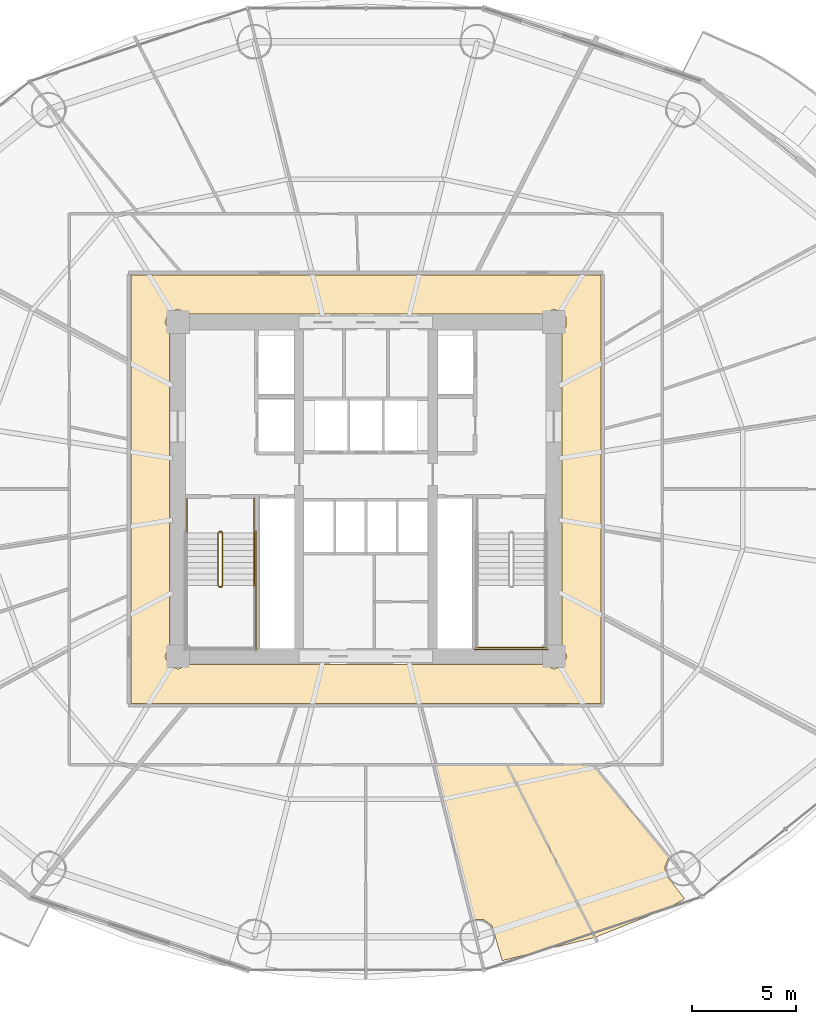
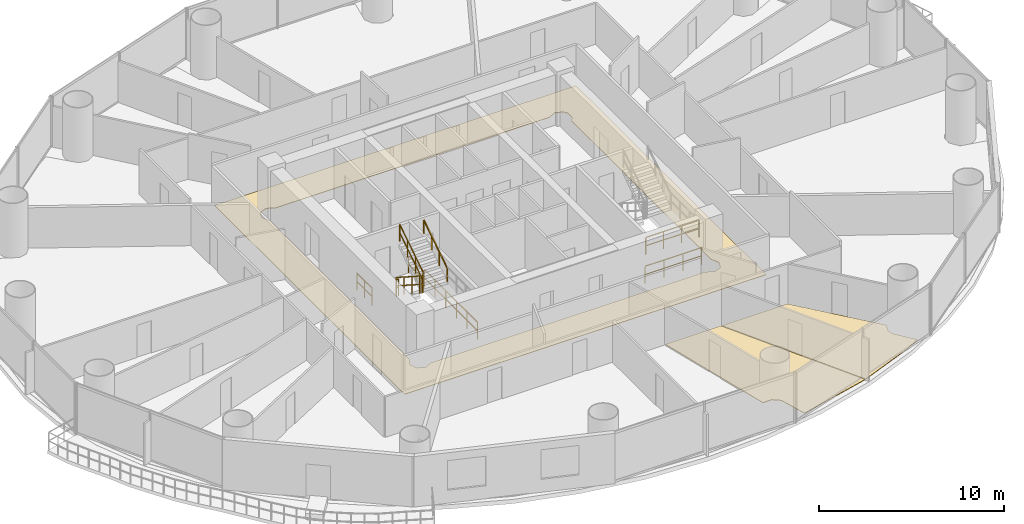
# One storey, part 27 of 29: 10 railings, 3 coverings.
"""IFC4 building model written with IfcOpenShell, lengths in metres."""

import ifcopenshell
import ifcopenshell.guid

model = None  # the IFC model being written
_history = None  # IfcOwnerHistory: only IFC2X3 demands one
_inside = {}  # id of a spatial element -> (the spatial element, [elements in it])
_under = {}  # id of a project, library or spatial element -> (it, [spatial elements below it])
_declared = {}  # id of a project -> (the project, [libraries it declares])
_typed = {}  # id of a type object -> (the type object, [elements of that type])
_made_of = {}  # id of a material, layer set ... -> (it, [elements and type objects made of it])


def new_model(schema):
    """Start an empty IFC model of exactly this schema.

    Asked for "IFC4X3", IfcOpenShell would pick the latest addendum, in which some entities
    have other attributes; the version numbers below select the first issue.
    IFC2X3 requires an IfcOwnerHistory on every rooted entity: one is made here for all.
    """
    global model, _history
    if schema == "IFC4X3":
        model = ifcopenshell.file(schema_version=(4, 3, 0, 0))
    else:
        model = ifcopenshell.file(schema=schema)
    _inside.clear()
    _under.clear()
    _declared.clear()
    _typed.clear()
    _made_of.clear()
    _history = None
    if model.schema == "IFC2X3":
        org = make("IfcOrganization", Name="unknown")
        user = make(
            "IfcPersonAndOrganization",
            ThePerson=make("IfcPerson", FamilyName="unknown"),
            TheOrganization=org,
        )
        app = make(
            "IfcApplication",
            ApplicationDeveloper=org,
            Version="unknown",
            ApplicationFullName="unknown",
            ApplicationIdentifier="unknown",
        )
        _history = make(
            "IfcOwnerHistory",
            OwningUser=user,
            OwningApplication=app,
            ChangeAction="ADDED",
            CreationDate=0,
        )
    return model


def make(cls, **values):
    """One entity of the class cls with the attributes given. An attribute that is None is left unset."""
    return model.create_entity(
        cls, **{name: value for name, value in values.items() if value is not None}
    )


def rooted(cls, **values):
    """An entity with a GlobalId (a new one), such as an element, a storey or a relation."""
    return make(cls, GlobalId=ifcopenshell.guid.new(), OwnerHistory=_history, **values)


def si_unit(unit_type, name, prefix=None):
    """IfcSIUnit, for example si_unit("LENGTHUNIT", "METRE", prefix="MILLI")."""
    return make("IfcSIUnit", UnitType=unit_type, Prefix=prefix, Name=name)


def assignment(units):
    """IfcUnitAssignment: the units of a project."""
    return None if units is None else make("IfcUnitAssignment", Units=units)


def point(xyz):
    """IfcCartesianPoint."""
    return None if xyz is None else make("IfcCartesianPoint", Coordinates=xyz)


def direction(xyz):
    """IfcDirection."""
    return None if xyz is None else make("IfcDirection", DirectionRatios=xyz)


def frame(location, z_axis=None, x_axis=None):
    """IfcAxis2Placement3D, a coordinate frame: its origin and axes. An axis left out is left unset."""
    return make(
        "IfcAxis2Placement3D",
        Location=point(location),
        Axis=direction(z_axis),
        RefDirection=direction(x_axis),
    )


def frame_2d(location, x_axis=None):
    """IfcAxis2Placement2D, a coordinate frame in the plane: its origin and x axis."""
    return make(
        "IfcAxis2Placement2D", Location=point(location), RefDirection=direction(x_axis)
    )


def origin():
    """The frame at (0, 0, 0) with its axes left unset."""
    return frame((0.0, 0.0, 0.0))


def origin_2d():
    """The frame at (0, 0) in the plane with its x axis left unset."""
    return frame_2d((0.0, 0.0))


def place(relative_to, where):
    """IfcLocalPlacement: puts the frame where relative to a parent placement (None: the world)."""
    return make(
        "IfcLocalPlacement", PlacementRelTo=relative_to, RelativePlacement=where
    )


def context(
    kind, dimensions, precision=None, world=None, true_north=None, identifier=None
):
    """IfcGeometricRepresentationContext, for example the 3D "Model" context."""
    return make(
        "IfcGeometricRepresentationContext",
        ContextIdentifier=identifier,
        ContextType=kind,
        CoordinateSpaceDimension=dimensions,
        Precision=precision,
        WorldCoordinateSystem=world,
        TrueNorth=true_north,
    )


def subcontext(parent, identifier, kind, view, scale=None):
    """IfcGeometricRepresentationSubContext, for example "Body" below "Model"."""
    return make(
        "IfcGeometricRepresentationSubContext",
        ContextIdentifier=identifier,
        ContextType=kind,
        ParentContext=parent,
        TargetScale=scale,
        TargetView=view,
    )


def project(units=None, contexts=None):
    """IfcProject with its units and contexts."""
    return rooted(
        "IfcProject",
        Name="project",
        RepresentationContexts=contexts,
        UnitsInContext=assignment(units),
    )


def spatial(cls, under=None, at=None, **own):
    """A site, building, storey or space (cls), placed at a placement, below another one or the project."""
    s = rooted(cls, ObjectPlacement=at, **own)
    if under is not None:
        _under.setdefault(under.id(), (under, []))[1].append(s)
    return s


def polyline(points):
    """IfcPolyline through the points."""
    return make("IfcPolyline", Points=[point(p) for p in points])


def profile(cls, at=None, kind="AREA", **sizes):
    """A parametric profile (cls). Its sizes go by their IFC names, for example OverallWidth=200.0."""
    return make(cls, ProfileType=kind, Position=at, **sizes)


def rectangle(**sizes):
    """IfcRectangleProfileDef."""
    return profile("IfcRectangleProfileDef", **sizes)


def outline(outer, holes=None, kind="AREA"):
    """IfcArbitraryClosedProfileDef: a profile drawn as a closed curve; with holes, ...WithVoids."""
    if holes is None:
        return make("IfcArbitraryClosedProfileDef", ProfileType=kind, OuterCurve=outer)
    return make(
        "IfcArbitraryProfileDefWithVoids",
        ProfileType=kind,
        OuterCurve=outer,
        InnerCurves=holes,
    )


def extrude(swept, where, along, depth):
    """IfcExtrudedAreaSolid: the profile swept, set in the frame where, extruded along a direction by depth."""
    return make(
        "IfcExtrudedAreaSolid",
        SweptArea=swept,
        Position=where,
        ExtrudedDirection=direction(along),
        Depth=depth,
    )


def shape(context_of_items, identifier, shape_type, items):
    """IfcShapeRepresentation: the items that make up one representation, for example the "Body"."""
    return make(
        "IfcShapeRepresentation",
        ContextOfItems=context_of_items,
        RepresentationIdentifier=identifier,
        RepresentationType=shape_type,
        Items=items,
    )


def material(Name=None, Category=None):
    """IfcMaterial."""
    return make("IfcMaterial", Name=Name, Category=Category)


def layer(
    of_material, thickness, ventilated=None, Name=None, Category=None, Priority=None
):
    """IfcMaterialLayer: one layer of a wall or slab, of a material (None: an air gap)."""
    return make(
        "IfcMaterialLayer",
        Material=of_material,
        LayerThickness=thickness,
        IsVentilated=ventilated,
        Name=Name,
        Category=Category,
        Priority=Priority,
    )


def layer_set(layers, Name=None):
    """IfcMaterialLayerSet."""
    return make("IfcMaterialLayerSet", MaterialLayers=layers, LayerSetName=Name)


def made_of(thing, what):
    """Note that an element or type object is made of a material, layer set ...; save() writes the relation."""
    if what is not None:
        _made_of.setdefault(what.id(), (what, []))[1].append(thing)
    return thing


def type_object(cls, material=None, **own):
    """A type object (cls), such as IfcWallType, which elements share."""
    return made_of(rooted(cls, **own), material)


def element(
    cls,
    number,
    at=None,
    inside=None,
    cuts=None,
    type_object=None,
    material=None,
    context=None,
    identifier="Body",
    shape_type=None,
    held_by="IfcProductDefinitionShape",
    body=None,
    shapes=None,
    **own,
):
    """One element of the class cls, such as IfcWall. Its Tag is "e" and its number.

    at: its placement. inside: the storey or other place that contains it. cuts: it is an
    opening in that element (IfcRelVoidsElement). A single representation is given by context,
    identifier, shape_type and body (its items); several are given by shapes. held_by: the class
    of the entity that holds the representations. save() writes the other relations.
    """
    e = rooted(cls, Tag="e%d" % number, ObjectPlacement=at, **own)
    if body is not None:
        shapes = [shape(context, identifier, shape_type, body)]
    if shapes is not None:
        e.Representation = make(held_by, Representations=shapes)
    if inside is not None:
        _inside.setdefault(inside.id(), (inside, []))[1].append(e)
    if cuts is not None:
        rooted(
            "IfcRelVoidsElement", RelatingBuildingElement=cuts, RelatedOpeningElement=e
        )
    if type_object is not None:
        _typed.setdefault(type_object.id(), (type_object, []))[1].append(e)
    return made_of(e, material)


def aggregate(whole, parts):
    """IfcRelAggregates: a whole, such as a stair, and the parts it consists of."""
    return rooted("IfcRelAggregates", RelatingObject=whole, RelatedObjects=parts)


def save(model, path):
    """Write the relations noted so far, then the file.

    IfcRelAggregates (storeys below a building ...), IfcRelContainedInSpatialStructure (elements
    in a storey), IfcRelDefinesByType, IfcRelAssociatesMaterial and IfcRelDeclares: one each for
    every whole, place, type object, material and project.
    """
    for whole, parts in _under.values():
        aggregate(whole, parts)
    for where, things in _inside.values():
        rooted(
            "IfcRelContainedInSpatialStructure",
            RelatedElements=things,
            RelatingStructure=where,
        )
    for kind, things in _typed.values():
        rooted("IfcRelDefinesByType", RelatedObjects=things, RelatingType=kind)
    for what, things in _made_of.values():
        rooted("IfcRelAssociatesMaterial", RelatedObjects=things, RelatingMaterial=what)
    for by, libraries in _declared.values():
        rooted("IfcRelDeclares", RelatingContext=by, RelatedDefinitions=libraries)
    model.write(path)


model = new_model("IFC4")

# Units and contexts
model_context = context("Model", 3, precision=1e-05, world=origin(), true_north=direction((-0.2419218956, 0.970295726276)))
body_context = subcontext(model_context, "Body", "Model", "MODEL_VIEW")
ifc_project = project(units=[si_unit("LENGTHUNIT", "METRE"), si_unit("AREAUNIT", "SQUARE_METRE"), si_unit("VOLUMEUNIT", "CUBIC_METRE"), si_unit("PLANEANGLEUNIT", "RADIAN"), si_unit("MASSUNIT", "GRAM", prefix="KILO")], contexts=[model_context])

# Site, building, storey
site_placement = place(None, origin())
site = spatial("IfcSite", under=ifc_project, at=site_placement, CompositionType="ELEMENT")
building_placement = place(site_placement, origin())
building = spatial("IfcBuilding", under=site, at=building_placement, Name="Cobrevalo Terracotta Tower", CompositionType="ELEMENT")
storey_placement = place(building_placement, frame((0.0, 0.0, 49.199951171875)))
storey = spatial("IfcBuildingStorey", under=building, at=storey_placement, Name="L12", CompositionType="ELEMENT", Elevation=49.199951171875)

# Coverings
ifc_material_1 = material(Name="Engineered Brazilian hardwood flooring", Category="wood")
ifc_layer_1 = layer(ifc_material_1, 0.028076171875)
ifc_layer_set_1 = layer_set([ifc_layer_1], Name="Engineered Brazilian hardwood flooring")
covering_type_1 = type_object("IfcCoveringType", Name="Engineered Hardwood Suite Flooring 28", PredefinedType="FLOORING", material=ifc_layer_set_1)
covering_1_placement = place(storey_placement, origin())
element("IfcCovering", 1, at=covering_1_placement, inside=storey, type_object=covering_type_1, Name="Flat L12D Principal Guest Bedroom floor finish", PredefinedType="FLOORING", context=body_context, shape_type="SweptSolid", body=[
    extrude(outline(polyline([(44.527587890625, 4.2255859375), (44.04345703125, 5.89306640625), (43.63330078125, 6.197998046875), (43.075439453125, 6.20703125), (41.264404296875, 13.5849609375), (44.732421875, 13.5849609375), (48.948974609375, 5.336181640625), (44.527587890625, 4.2255859375)])), origin(), (0.0, 0.0, 1.0), 0.030029296875),
])
covering_2_placement = place(storey_placement, origin())
element("IfcCovering", 2, at=covering_2_placement, inside=storey, type_object=covering_type_1, Name="Flat L12D Penthouse Family Lounge floor finish", PredefinedType="FLOORING", context=body_context, shape_type="SweptSolid", body=[
    extrude(outline(polyline([(48.9873046875, 5.3486328125), (44.77734375, 13.5849609375), (48.87060546875, 13.5849609375), (52.5048828125, 9.177490234375), (52.318115234375, 8.71044921875), (52.35498046875, 8.369140625), (53.26318359375, 7.178955078125), (52.361572265625, 6.691650390625), (48.9873046875, 5.3486328125)])), origin(), (0.0, 0.0, 1.0), 0.030029296875),
])
ifc_material_2 = material(Name="Honed terracotta and granite tile", Category="masonry")
ifc_layer_2 = layer(ifc_material_2, 0.034912109375)
ifc_layer_set_2 = layer_set([ifc_layer_2], Name="Honed terracotta and granite tile")
covering_type_2 = type_object("IfcCoveringType", Name="Honed Terracotta & Granite Interior Flooring 35", PredefinedType="FLOORING", material=ifc_layer_set_2)
covering_3_placement = place(storey_placement, origin())
element("IfcCovering", 3, at=covering_3_placement, inside=storey, type_object=covering_type_2, Name="L12 Residential Floor Corridor floor finish", PredefinedType="FLOORING", context=body_context, shape_type="SweptSolid", body=[
    extrude(outline(polyline([(49.2548828125, 37.054931640625), (49.2548828125, 16.544921875), (26.7451171875, 16.544921875), (26.7451171875, 37.054931640625), (49.2548828125, 37.054931640625)]), holes=[polyline([(47.39501953125, 34.33203125), (47.5732421875, 34.5625), (47.5732421875, 35.037353515625), (47.438720703125, 35.23876953125), (47.0, 35.42041015625), (46.5322265625, 35.195068359375), (29.4677734375, 35.195068359375), (29.0, 35.42041015625), (28.561279296875, 35.23876953125), (28.379638671875, 34.800048828125), (28.60498046875, 34.33203125), (28.60498046875, 19.267822265625), (28.379638671875, 18.800048828125), (28.561279296875, 18.361328125), (29.0, 18.1796875), (29.4677734375, 18.405029296875), (46.5322265625, 18.405029296875), (47.0, 18.1796875), (47.438720703125, 18.361328125), (47.620361328125, 18.800048828125), (47.39501953125, 19.267822265625), (47.39501953125, 34.33203125)])]), origin(), (0.0, 0.0, 1.0), 0.030029296875),
])

# Railings
ifc_material_3 = material(Name="Brushed stainless steel", Category="steel")
railing_type_1 = type_object("IfcRailingType", Name="Stainless Steel Stair Handrail 900", PredefinedType="HANDRAIL", material=ifc_material_3)
railing_1_placement = place(storey_placement, frame((32.64501953125, 22.179931640625, 1.97998046875)))
element("IfcRailing", 4, at=railing_1_placement, inside=storey, type_object=railing_type_1, Name="L12 ST-1 stair handrail 2", PredefinedType="HANDRAIL", context=body_context, shape_type="SweptSolid", body=[
    extrude(rectangle(XDim=0.048095703125, YDim=0.048095703125, at=origin_2d()), frame((0.0, 0.0, 0.8759765625), z_axis=(0.0, 0.841162588446, 0.540782303519), x_axis=(-1.0, 0.0, 0.0)), (0.0, 0.0, 1.0), 2.995849609375),
    extrude(rectangle(XDim=0.0419921875, YDim=0.0419921875, at=origin_2d()), origin(), (0.0, 0.0, 1.0), 0.851806640625),
    extrude(rectangle(XDim=0.0419921875, YDim=0.0419921875, at=origin_2d()), frame((0.0, 0.840087890625, 0.5400390625)), (0.0, 0.0, 1.0), 0.851806640625),
    extrude(rectangle(XDim=0.0419921875, YDim=0.0419921875, at=origin_2d()), frame((0.0, 1.679931640625, 1.080078125)), (0.0, 0.0, 1.0), 0.851806640625),
    extrude(rectangle(XDim=0.0419921875, YDim=0.0419921875, at=origin_2d()), frame((0.0, 2.52001953125, 1.6201171875)), (0.0, 0.0, 1.0), 0.851806640625),
])
ifc_material_4 = material(Name="Painted galvanized steel", Category="steel")
railing_type_2 = type_object("IfcRailingType", Name="Stair Well Guard Balustrade 1150", PredefinedType="GUARDRAIL", material=ifc_material_4)
railing_2_placement = place(storey_placement, frame((30.925048828125, 24.699951171875, 0.179931640625)))
element("IfcRailing", 5, at=railing_2_placement, inside=storey, type_object=railing_type_2, Name="L12 ST-1 stair guard 1", PredefinedType="GUARDRAIL", context=body_context, shape_type="SweptSolid", body=[
    extrude(rectangle(XDim=0.048095703125, YDim=0.048095703125, at=origin_2d()), frame((0.0, 0.0, 1.1259765625), z_axis=(0.0, -0.841162588446, 0.540782303519), x_axis=(1.0, 0.0, 0.0)), (0.0, 0.0, 1.0), 2.995849609375),
    extrude(rectangle(XDim=0.048095703125, YDim=0.048095703125, at=origin_2d()), frame((0.0, 0.0, 0.574951171875), z_axis=(0.0, -0.841162588446, 0.540782303519), x_axis=(1.0, 0.0, 0.0)), (0.0, 0.0, 1.0), 2.995849609375),
    extrude(rectangle(XDim=0.0419921875, YDim=0.0419921875, at=origin_2d()), origin(), (0.0, 0.0, 1.0), 1.101806640625),
    extrude(rectangle(XDim=0.0419921875, YDim=0.0419921875, at=origin_2d()), frame((0.0, -0.840087890625, 0.5400390625)), (0.0, 0.0, 1.0), 1.101806640625),
    extrude(rectangle(XDim=0.0419921875, YDim=0.0419921875, at=origin_2d()), frame((0.0, -1.679931640625, 1.080078125)), (0.0, 0.0, 1.0), 1.101806640625),
    extrude(rectangle(XDim=0.0419921875, YDim=0.0419921875, at=origin_2d()), frame((0.0, -2.52001953125, 1.6201171875)), (0.0, 0.0, 1.0), 1.101806640625),
])
railing_3_placement = place(storey_placement, frame((30.97509765625, 22.1298828125, 1.800048828125)))
element("IfcRailing", 6, at=railing_3_placement, inside=storey, type_object=railing_type_2, Name="L12 ST-1 stair guard 2", PredefinedType="GUARDRAIL", context=body_context, shape_type="SweptSolid", body=[
    extrude(rectangle(XDim=0.048095703125, YDim=0.048095703125, at=origin_2d()), frame((0.0, 0.0, 1.1259765625), z_axis=(1.0, 0.0, 0.0), x_axis=(0.0, 1.0, 0.0)), (0.0, 0.0, 1.0), 0.119873046875),
    extrude(rectangle(XDim=0.048095703125, YDim=0.048095703125, at=origin_2d()), frame((0.0, 0.0, 0.574951171875), z_axis=(1.0, 0.0, 0.0), x_axis=(0.0, 1.0, 0.0)), (0.0, 0.0, 1.0), 0.119873046875),
    extrude(rectangle(XDim=0.0419921875, YDim=0.0419921875, at=origin_2d()), origin(), (0.0, 0.0, 1.0), 1.101806640625),
    extrude(rectangle(XDim=0.0419921875, YDim=0.0419921875, at=origin_2d()), frame((0.119873046875, 0.0, 0.0)), (0.0, 0.0, 1.0), 1.101806640625),
])
railing_4_placement = place(storey_placement, frame((31.14501953125, 22.179931640625, 1.97998046875)))
element("IfcRailing", 7, at=railing_4_placement, inside=storey, type_object=railing_type_2, Name="L12 ST-1 stair guard 6", PredefinedType="GUARDRAIL", context=body_context, shape_type="SweptSolid", body=[
    extrude(rectangle(XDim=0.048095703125, YDim=0.048095703125, at=origin_2d()), frame((0.0, 0.0, 1.1259765625), z_axis=(0.0, 0.841162588446, 0.540782303519), x_axis=(-1.0, 0.0, 0.0)), (0.0, 0.0, 1.0), 2.995849609375),
    extrude(rectangle(XDim=0.048095703125, YDim=0.048095703125, at=origin_2d()), frame((0.0, 0.0, 0.574951171875), z_axis=(0.0, 0.841162588446, 0.540782303519), x_axis=(-1.0, 0.0, 0.0)), (0.0, 0.0, 1.0), 2.995849609375),
    extrude(rectangle(XDim=0.0419921875, YDim=0.0419921875, at=origin_2d()), origin(), (0.0, 0.0, 1.0), 1.101806640625),
    extrude(rectangle(XDim=0.0419921875, YDim=0.0419921875, at=origin_2d()), frame((0.0, 0.840087890625, 0.5400390625)), (0.0, 0.0, 1.0), 1.101806640625),
    extrude(rectangle(XDim=0.0419921875, YDim=0.0419921875, at=origin_2d()), frame((0.0, 1.679931640625, 1.080078125)), (0.0, 0.0, 1.0), 1.101806640625),
    extrude(rectangle(XDim=0.0419921875, YDim=0.0419921875, at=origin_2d()), frame((0.0, 2.52001953125, 1.6201171875)), (0.0, 0.0, 1.0), 1.101806640625),
])
railing_5_placement = place(storey_placement, frame((30.97509765625, 24.75, 0.0)))
element("IfcRailing", 8, at=railing_5_placement, inside=storey, type_object=railing_type_2, Name="L12 ST-1 stair guard 7", PredefinedType="GUARDRAIL", context=body_context, shape_type="SweptSolid", body=[
    extrude(rectangle(XDim=0.048095703125, YDim=0.048095703125, at=origin_2d()), frame((0.0, 0.0, 1.1259765625), z_axis=(1.0, 0.0, 0.0), x_axis=(0.0, 1.0, 0.0)), (0.0, 0.0, 1.0), 0.119873046875),
    extrude(rectangle(XDim=0.048095703125, YDim=0.048095703125, at=origin_2d()), frame((0.0, 0.0, 0.574951171875), z_axis=(1.0, 0.0, 0.0), x_axis=(0.0, 1.0, 0.0)), (0.0, 0.0, 1.0), 0.119873046875),
    extrude(rectangle(XDim=0.0419921875, YDim=0.0419921875, at=origin_2d()), origin(), (0.0, 0.0, 1.0), 1.101806640625),
    extrude(rectangle(XDim=0.0419921875, YDim=0.0419921875, at=origin_2d()), frame((0.119873046875, 0.0, 0.0)), (0.0, 0.0, 1.0), 1.101806640625),
])
for number, where, name in (
    (9, (29.425048828125, 26.35009765625, 0.0), "L12 ST-1 stair guard 8"),
    (10, (32.64501953125, 26.35009765625, 0.0), "L12 ST-1 stair guard 9"),
):
    element("IfcRailing", number, at=place(storey_placement, frame(where)), inside=storey, type_object=railing_type_2, Name=name, PredefinedType="GUARDRAIL", context=body_context, shape_type="SweptSolid", body=[
        extrude(rectangle(XDim=0.048095703125, YDim=0.048095703125, at=origin_2d()), frame((0.0, 0.0, 1.1259765625), z_axis=(0.0, -1.0, 0.0), x_axis=(1.0, 0.0, 0.0)), (0.0, 0.0, 1.0), 1.650146484375),
        extrude(rectangle(XDim=0.048095703125, YDim=0.048095703125, at=origin_2d()), frame((0.0, 0.0, 0.574951171875), z_axis=(0.0, -1.0, 0.0), x_axis=(1.0, 0.0, 0.0)), (0.0, 0.0, 1.0), 1.650146484375),
        extrude(rectangle(XDim=0.0419921875, YDim=0.0419921875, at=origin_2d()), origin(), (0.0, 0.0, 1.0), 1.101806640625),
        extrude(rectangle(XDim=0.0419921875, YDim=0.0419921875, at=origin_2d()), frame((0.0, -0.8251953125, 0.0)), (0.0, 0.0, 1.0), 1.101806640625),
        extrude(rectangle(XDim=0.0419921875, YDim=0.0419921875, at=origin_2d()), frame((0.0, -1.650146484375, 0.0)), (0.0, 0.0, 1.0), 1.101806640625),
    ])
railing_6_placement = place(storey_placement, frame((32.7451171875, 24.800048828125, 0.0)))
element("IfcRailing", 11, at=railing_6_placement, inside=storey, type_object=railing_type_2, Name="L12 ST-1 stair guard 11", PredefinedType="GUARDRAIL", context=body_context, shape_type="SweptSolid", body=[
    extrude(rectangle(XDim=0.048095703125, YDim=0.048095703125, at=origin_2d()), frame((0.0, 0.0, 1.1259765625), z_axis=(0.0, -1.0, 0.0), x_axis=(1.0, 0.0, 0.0)), (0.0, 0.0, 1.0), 5.72509765625),
    extrude(rectangle(XDim=0.048095703125, YDim=0.048095703125, at=origin_2d()), frame((0.0, 0.0, 0.574951171875), z_axis=(0.0, -1.0, 0.0), x_axis=(1.0, 0.0, 0.0)), (0.0, 0.0, 1.0), 5.72509765625),
    extrude(rectangle(XDim=0.0419921875, YDim=0.0419921875, at=origin_2d()), origin(), (0.0, 0.0, 1.0), 1.101806640625),
    extrude(rectangle(XDim=0.0419921875, YDim=0.0419921875, at=origin_2d()), frame((0.0, -1.14501953125, 0.0)), (0.0, 0.0, 1.0), 1.101806640625),
    extrude(rectangle(XDim=0.0419921875, YDim=0.0419921875, at=origin_2d()), frame((0.0, -2.2900390625, 0.0)), (0.0, 0.0, 1.0), 1.101806640625),
    extrude(rectangle(XDim=0.0419921875, YDim=0.0419921875, at=origin_2d()), frame((0.0, -3.43505859375, 0.0)), (0.0, 0.0, 1.0), 1.101806640625),
    extrude(rectangle(XDim=0.0419921875, YDim=0.0419921875, at=origin_2d()), frame((0.0, -4.580078125, 0.0)), (0.0, 0.0, 1.0), 1.101806640625),
    extrude(rectangle(XDim=0.0419921875, YDim=0.0419921875, at=origin_2d()), frame((0.0, -5.72509765625, 0.0)), (0.0, 0.0, 1.0), 1.101806640625),
])
railing_7_placement = place(storey_placement, frame((43.304931640625, 19.22509765625, 1.800048828125)))
element("IfcRailing", 12, at=railing_7_placement, inside=storey, type_object=railing_type_2, Name="L12 ST-2 stair guard 5", PredefinedType="GUARDRAIL", context=body_context, shape_type="SweptSolid", body=[
    extrude(rectangle(XDim=0.048095703125, YDim=0.048095703125, at=origin_2d()), frame((0.0, 0.0, 1.1259765625), z_axis=(1.0, 0.0, 0.0), x_axis=(0.0, 1.0, 0.0)), (0.0, 0.0, 1.0), 3.320068359375),
    extrude(rectangle(XDim=0.048095703125, YDim=0.048095703125, at=origin_2d()), frame((0.0, 0.0, 0.574951171875), z_axis=(1.0, 0.0, 0.0), x_axis=(0.0, 1.0, 0.0)), (0.0, 0.0, 1.0), 3.320068359375),
    extrude(rectangle(XDim=0.0419921875, YDim=0.0419921875, at=origin_2d()), origin(), (0.0, 0.0, 1.0), 1.101806640625),
    extrude(rectangle(XDim=0.0419921875, YDim=0.0419921875, at=origin_2d()), frame((1.106689453125, 0.0, 0.0)), (0.0, 0.0, 1.0), 1.101806640625),
    extrude(rectangle(XDim=0.0419921875, YDim=0.0419921875, at=origin_2d()), frame((2.21337890625, 0.0, 0.0)), (0.0, 0.0, 1.0), 1.101806640625),
    extrude(rectangle(XDim=0.0419921875, YDim=0.0419921875, at=origin_2d()), frame((3.320068359375, 0.0, 0.0)), (0.0, 0.0, 1.0), 1.101806640625),
])
railing_8_placement = place(storey_placement, frame((43.205078125, 19.125, 0.0)))
element("IfcRailing", 13, at=railing_8_placement, inside=storey, type_object=railing_type_2, Name="L12 ST-2 stair guard 12", PredefinedType="GUARDRAIL", context=body_context, shape_type="SweptSolid", body=[
    extrude(rectangle(XDim=0.048095703125, YDim=0.048095703125, at=origin_2d()), frame((0.0, 0.0, 1.1259765625), z_axis=(1.0, 0.0, 0.0), x_axis=(0.0, 1.0, 0.0)), (0.0, 0.0, 1.0), 3.52001953125),
    extrude(rectangle(XDim=0.048095703125, YDim=0.048095703125, at=origin_2d()), frame((0.0, 0.0, 0.574951171875), z_axis=(1.0, 0.0, 0.0), x_axis=(0.0, 1.0, 0.0)), (0.0, 0.0, 1.0), 3.52001953125),
    extrude(rectangle(XDim=0.0419921875, YDim=0.0419921875, at=origin_2d()), origin(), (0.0, 0.0, 1.0), 1.101806640625),
    extrude(rectangle(XDim=0.0419921875, YDim=0.0419921875, at=origin_2d()), frame((1.17333984375, 0.0, 0.0)), (0.0, 0.0, 1.0), 1.101806640625),
    extrude(rectangle(XDim=0.0419921875, YDim=0.0419921875, at=origin_2d()), frame((2.3466796875, 0.0, 0.0)), (0.0, 0.0, 1.0), 1.101806640625),
    extrude(rectangle(XDim=0.0419921875, YDim=0.0419921875, at=origin_2d()), frame((3.52001953125, 0.0, 0.0)), (0.0, 0.0, 1.0), 1.101806640625),
])

save(model, "model.ifc")
